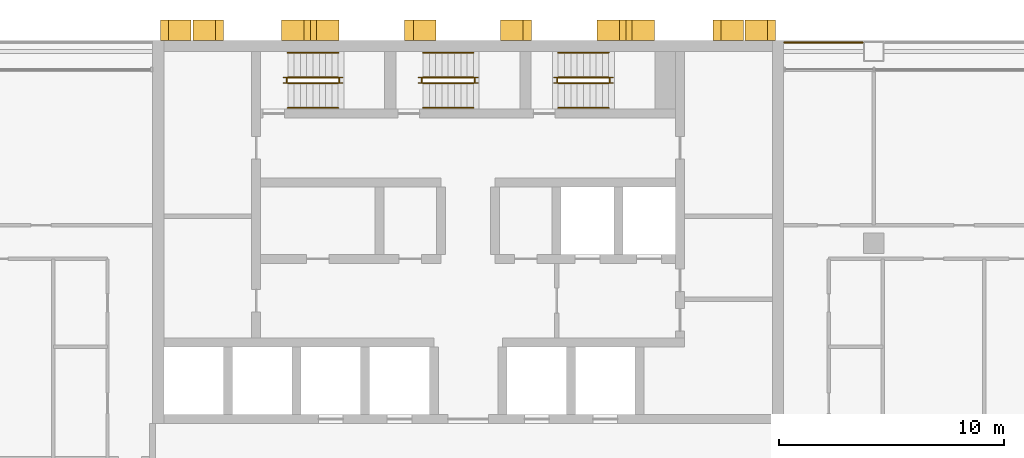
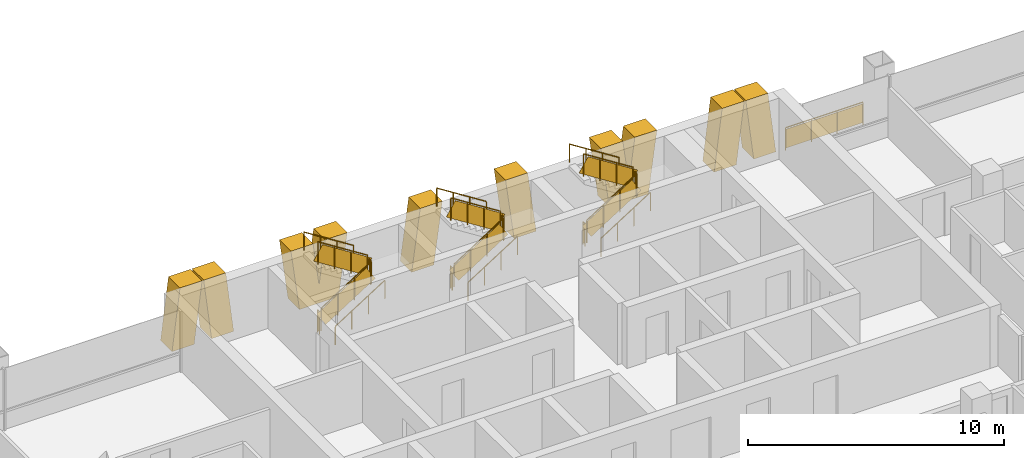
# One storey, part 17 of 18: 19 railings, 8 shading devices.
"""IFC4 building model written with IfcOpenShell, lengths in metres."""

import ifcopenshell
import ifcopenshell.guid

model = None  # the IFC model being written
_history = None  # IfcOwnerHistory: only IFC2X3 demands one
_inside = {}  # id of a spatial element -> (the spatial element, [elements in it])
_under = {}  # id of a project, library or spatial element -> (it, [spatial elements below it])
_declared = {}  # id of a project -> (the project, [libraries it declares])
_typed = {}  # id of a type object -> (the type object, [elements of that type])
_made_of = {}  # id of a material, layer set ... -> (it, [elements and type objects made of it])


def new_model(schema):
    """Start an empty IFC model of exactly this schema.

    Asked for "IFC4X3", IfcOpenShell would pick the latest addendum, in which some entities
    have other attributes; the version numbers below select the first issue.
    IFC2X3 requires an IfcOwnerHistory on every rooted entity: one is made here for all.
    """
    global model, _history
    if schema == "IFC4X3":
        model = ifcopenshell.file(schema_version=(4, 3, 0, 0))
    else:
        model = ifcopenshell.file(schema=schema)
    _inside.clear()
    _under.clear()
    _declared.clear()
    _typed.clear()
    _made_of.clear()
    _history = None
    if model.schema == "IFC2X3":
        org = make("IfcOrganization", Name="unknown")
        user = make(
            "IfcPersonAndOrganization",
            ThePerson=make("IfcPerson", FamilyName="unknown"),
            TheOrganization=org,
        )
        app = make(
            "IfcApplication",
            ApplicationDeveloper=org,
            Version="unknown",
            ApplicationFullName="unknown",
            ApplicationIdentifier="unknown",
        )
        _history = make(
            "IfcOwnerHistory",
            OwningUser=user,
            OwningApplication=app,
            ChangeAction="ADDED",
            CreationDate=0,
        )
    return model


def make(cls, **values):
    """One entity of the class cls with the attributes given. An attribute that is None is left unset."""
    return model.create_entity(
        cls, **{name: value for name, value in values.items() if value is not None}
    )


def rooted(cls, **values):
    """An entity with a GlobalId (a new one), such as an element, a storey or a relation."""
    return make(cls, GlobalId=ifcopenshell.guid.new(), OwnerHistory=_history, **values)


def si_unit(unit_type, name, prefix=None):
    """IfcSIUnit, for example si_unit("LENGTHUNIT", "METRE", prefix="MILLI")."""
    return make("IfcSIUnit", UnitType=unit_type, Prefix=prefix, Name=name)


def assignment(units):
    """IfcUnitAssignment: the units of a project."""
    return None if units is None else make("IfcUnitAssignment", Units=units)


def point(xyz):
    """IfcCartesianPoint."""
    return None if xyz is None else make("IfcCartesianPoint", Coordinates=xyz)


def direction(xyz):
    """IfcDirection."""
    return None if xyz is None else make("IfcDirection", DirectionRatios=xyz)


def frame(location, z_axis=None, x_axis=None):
    """IfcAxis2Placement3D, a coordinate frame: its origin and axes. An axis left out is left unset."""
    return make(
        "IfcAxis2Placement3D",
        Location=point(location),
        Axis=direction(z_axis),
        RefDirection=direction(x_axis),
    )


def frame_2d(location, x_axis=None):
    """IfcAxis2Placement2D, a coordinate frame in the plane: its origin and x axis."""
    return make(
        "IfcAxis2Placement2D", Location=point(location), RefDirection=direction(x_axis)
    )


def origin():
    """The frame at (0, 0, 0) with its axes left unset."""
    return frame((0.0, 0.0, 0.0))


def origin_2d():
    """The frame at (0, 0) in the plane with its x axis left unset."""
    return frame_2d((0.0, 0.0))


def place(relative_to, where):
    """IfcLocalPlacement: puts the frame where relative to a parent placement (None: the world)."""
    return make(
        "IfcLocalPlacement", PlacementRelTo=relative_to, RelativePlacement=where
    )


def context(
    kind, dimensions, precision=None, world=None, true_north=None, identifier=None
):
    """IfcGeometricRepresentationContext, for example the 3D "Model" context."""
    return make(
        "IfcGeometricRepresentationContext",
        ContextIdentifier=identifier,
        ContextType=kind,
        CoordinateSpaceDimension=dimensions,
        Precision=precision,
        WorldCoordinateSystem=world,
        TrueNorth=true_north,
    )


def subcontext(parent, identifier, kind, view, scale=None):
    """IfcGeometricRepresentationSubContext, for example "Body" below "Model"."""
    return make(
        "IfcGeometricRepresentationSubContext",
        ContextIdentifier=identifier,
        ContextType=kind,
        ParentContext=parent,
        TargetScale=scale,
        TargetView=view,
    )


def project(units=None, contexts=None):
    """IfcProject with its units and contexts."""
    return rooted(
        "IfcProject",
        Name="project",
        RepresentationContexts=contexts,
        UnitsInContext=assignment(units),
    )


def spatial(cls, under=None, at=None, **own):
    """A site, building, storey or space (cls), placed at a placement, below another one or the project."""
    s = rooted(cls, ObjectPlacement=at, **own)
    if under is not None:
        _under.setdefault(under.id(), (under, []))[1].append(s)
    return s


def polyline(points):
    """IfcPolyline through the points."""
    return make("IfcPolyline", Points=[point(p) for p in points])


def profile(cls, at=None, kind="AREA", **sizes):
    """A parametric profile (cls). Its sizes go by their IFC names, for example OverallWidth=200.0."""
    return make(cls, ProfileType=kind, Position=at, **sizes)


def rectangle(**sizes):
    """IfcRectangleProfileDef."""
    return profile("IfcRectangleProfileDef", **sizes)


def circle(**sizes):
    """IfcCircleProfileDef."""
    return profile("IfcCircleProfileDef", **sizes)


def outline(outer, holes=None, kind="AREA"):
    """IfcArbitraryClosedProfileDef: a profile drawn as a closed curve; with holes, ...WithVoids."""
    if holes is None:
        return make("IfcArbitraryClosedProfileDef", ProfileType=kind, OuterCurve=outer)
    return make(
        "IfcArbitraryProfileDefWithVoids",
        ProfileType=kind,
        OuterCurve=outer,
        InnerCurves=holes,
    )


def extrude(swept, where, along, depth):
    """IfcExtrudedAreaSolid: the profile swept, set in the frame where, extruded along a direction by depth."""
    return make(
        "IfcExtrudedAreaSolid",
        SweptArea=swept,
        Position=where,
        ExtrudedDirection=direction(along),
        Depth=depth,
    )


def shape(context_of_items, identifier, shape_type, items):
    """IfcShapeRepresentation: the items that make up one representation, for example the "Body"."""
    return make(
        "IfcShapeRepresentation",
        ContextOfItems=context_of_items,
        RepresentationIdentifier=identifier,
        RepresentationType=shape_type,
        Items=items,
    )


def material(Name=None, Category=None):
    """IfcMaterial."""
    return make("IfcMaterial", Name=Name, Category=Category)


def layer(
    of_material, thickness, ventilated=None, Name=None, Category=None, Priority=None
):
    """IfcMaterialLayer: one layer of a wall or slab, of a material (None: an air gap)."""
    return make(
        "IfcMaterialLayer",
        Material=of_material,
        LayerThickness=thickness,
        IsVentilated=ventilated,
        Name=Name,
        Category=Category,
        Priority=Priority,
    )


def layer_set(layers, Name=None):
    """IfcMaterialLayerSet."""
    return make("IfcMaterialLayerSet", MaterialLayers=layers, LayerSetName=Name)


def made_of(thing, what):
    """Note that an element or type object is made of a material, layer set ...; save() writes the relation."""
    if what is not None:
        _made_of.setdefault(what.id(), (what, []))[1].append(thing)
    return thing


def type_object(cls, material=None, **own):
    """A type object (cls), such as IfcWallType, which elements share."""
    return made_of(rooted(cls, **own), material)


def element(
    cls,
    number,
    at=None,
    inside=None,
    cuts=None,
    type_object=None,
    material=None,
    context=None,
    identifier="Body",
    shape_type=None,
    held_by="IfcProductDefinitionShape",
    body=None,
    shapes=None,
    **own,
):
    """One element of the class cls, such as IfcWall. Its Tag is "e" and its number.

    at: its placement. inside: the storey or other place that contains it. cuts: it is an
    opening in that element (IfcRelVoidsElement). A single representation is given by context,
    identifier, shape_type and body (its items); several are given by shapes. held_by: the class
    of the entity that holds the representations. save() writes the other relations.
    """
    e = rooted(cls, Tag="e%d" % number, ObjectPlacement=at, **own)
    if body is not None:
        shapes = [shape(context, identifier, shape_type, body)]
    if shapes is not None:
        e.Representation = make(held_by, Representations=shapes)
    if inside is not None:
        _inside.setdefault(inside.id(), (inside, []))[1].append(e)
    if cuts is not None:
        rooted(
            "IfcRelVoidsElement", RelatingBuildingElement=cuts, RelatedOpeningElement=e
        )
    if type_object is not None:
        _typed.setdefault(type_object.id(), (type_object, []))[1].append(e)
    return made_of(e, material)


def aggregate(whole, parts):
    """IfcRelAggregates: a whole, such as a stair, and the parts it consists of."""
    return rooted("IfcRelAggregates", RelatingObject=whole, RelatedObjects=parts)


def save(model, path):
    """Write the relations noted so far, then the file.

    IfcRelAggregates (storeys below a building ...), IfcRelContainedInSpatialStructure (elements
    in a storey), IfcRelDefinesByType, IfcRelAssociatesMaterial and IfcRelDeclares: one each for
    every whole, place, type object, material and project.
    """
    for whole, parts in _under.values():
        aggregate(whole, parts)
    for where, things in _inside.values():
        rooted(
            "IfcRelContainedInSpatialStructure",
            RelatedElements=things,
            RelatingStructure=where,
        )
    for kind, things in _typed.values():
        rooted("IfcRelDefinesByType", RelatedObjects=things, RelatingType=kind)
    for what, things in _made_of.values():
        rooted("IfcRelAssociatesMaterial", RelatedObjects=things, RelatingMaterial=what)
    for by, libraries in _declared.values():
        rooted("IfcRelDeclares", RelatingContext=by, RelatedDefinitions=libraries)
    model.write(path)


model = new_model("IFC4")

# Units and contexts
model_context = context("Model", 3, precision=1e-05, world=origin(), true_north=direction((0.0, 1.0)))
body_context = subcontext(model_context, "Body", "Model", "MODEL_VIEW")
ifc_project = project(units=[si_unit("LENGTHUNIT", "METRE"), si_unit("AREAUNIT", "SQUARE_METRE"), si_unit("VOLUMEUNIT", "CUBIC_METRE"), si_unit("PLANEANGLEUNIT", "RADIAN"), si_unit("MASSUNIT", "GRAM", prefix="KILO")], contexts=[model_context])

# Site, building, storey
site_placement = place(None, origin())
site = spatial("IfcSite", under=ifc_project, at=site_placement, CompositionType="ELEMENT")
building_placement = place(site_placement, origin())
building = spatial("IfcBuilding", under=site, at=building_placement, Name="Vidyagriha Tower", CompositionType="ELEMENT")
storey_placement = place(building_placement, frame((0.0, 0.0, 80.699951171875)))
storey = spatial("IfcBuildingStorey", under=building, at=storey_placement, Name="L20", CompositionType="ELEMENT", Elevation=80.699951171875)

# Shading devices
ifc_material_1 = material(Name="Precast concrete C40/50 with brick facing", Category="concrete")
ifc_layer_1 = layer(ifc_material_1, 1.0)
ifc_layer_set_1 = layer_set([ifc_layer_1], Name="Precast concrete C40/50 with brick facing")
shading_device_type_1 = type_object("IfcShadingDeviceType", Name="Brick-faced rear rib arm leaning 8 degrees", PredefinedType="USERDEFINED", material=ifc_layer_set_1)
shading_device_1_placement = place(storey_placement, frame((13.642822265625, 20.449951171875, 0.0), z_axis=(0.0, 0.0, 1.0), x_axis=(-1.0, 0.0, 0.0)))
element("IfcShadingDevice", 1, at=shading_device_1_placement, inside=storey, type_object=shading_device_type_1, Name="Rear rib arm L20 R08.1a", ObjectType="BLADE FIN", PredefinedType="USERDEFINED", context=body_context, shape_type="SweptSolid", body=[
    extrude(outline(polyline([(0.0, 0.0), (1.0, 0.0), (1.357177734375, 2.920166015625), (0.357177734375, 2.920166015625), (0.0, 0.0)])), frame((0.0, 0.449951171875, 0.0), z_axis=(0.0, -1.0, 0.0), x_axis=(1.0, 0.0, 0.0)), (0.0, 0.0, 1.0), 0.89990234375),
])
shading_device_2_placement = place(storey_placement, frame((12.21435546875, 20.449951171875, 0.0), z_axis=(0.0, 0.0, 1.0), x_axis=(-1.0, 0.0, 0.0)))
element("IfcShadingDevice", 2, at=shading_device_2_placement, inside=storey, type_object=shading_device_type_1, Name="Rear rib arm L20 R08.1b", ObjectType="BLADE FIN", PredefinedType="USERDEFINED", context=body_context, shape_type="SweptSolid", body=[
    extrude(outline(polyline([(0.357177734375, 0.0), (1.357177734375, 0.0), (1.0, 2.920166015625), (0.0, 2.920166015625), (0.357177734375, 0.0)])), frame((0.0, 0.449951171875, 0.0), z_axis=(0.0, -1.0, 0.0), x_axis=(1.0, 0.0, 0.0)), (0.0, 0.0, 1.0), 0.89990234375),
])
shading_device_3_placement = place(storey_placement, frame((2.814208984375, 20.449951171875, 0.0), z_axis=(0.0, 0.0, 1.0), x_axis=(-1.0, 0.0, 0.0)))
element("IfcShadingDevice", 3, at=shading_device_3_placement, inside=storey, type_object=shading_device_type_1, Name="Rear rib arm L20 R08.3a", ObjectType="BLADE FIN", PredefinedType="USERDEFINED", context=body_context, shape_type="SweptSolid", body=[
    extrude(outline(polyline([(0.0, 0.0), (1.0, 0.0), (1.3857421875, 2.920166015625), (0.3857421875, 2.920166015625), (0.0, 0.0)])), frame((0.0, 0.449951171875, 0.0), z_axis=(0.0, -1.0, 0.0), x_axis=(1.0, 0.0, 0.0)), (0.0, 0.0, 1.0), 0.89990234375),
])
shading_device_4_placement = place(storey_placement, frame((-1.4287109375, 20.449951171875, 0.0), z_axis=(0.0, 0.0, 1.0), x_axis=(-1.0, 0.0, 0.0)))
element("IfcShadingDevice", 4, at=shading_device_4_placement, inside=storey, type_object=shading_device_type_1, Name="Rear rib arm L20 R08.3b", ObjectType="BLADE FIN", PredefinedType="USERDEFINED", context=body_context, shape_type="SweptSolid", body=[
    extrude(outline(polyline([(0.3857421875, 0.0), (1.3857421875, 0.0), (1.0, 2.920166015625), (0.0, 2.920166015625), (0.3857421875, 0.0)])), frame((0.0, 0.449951171875, 0.0), z_axis=(0.0, -1.0, 0.0), x_axis=(1.0, 0.0, 0.0)), (0.0, 0.0, 1.0), 0.89990234375),
])
shading_device_5_placement = place(storey_placement, frame((-10.857177734375, 20.449951171875, 0.0), z_axis=(0.0, 0.0, 1.0), x_axis=(-1.0, 0.0, 0.0)))
element("IfcShadingDevice", 5, at=shading_device_5_placement, inside=storey, type_object=shading_device_type_1, Name="Rear rib arm L20 R08.5a", ObjectType="BLADE FIN", PredefinedType="USERDEFINED", context=body_context, shape_type="SweptSolid", body=[
    extrude(outline(polyline([(0.0, 0.0), (1.0, 0.0), (1.357177734375, 2.920166015625), (0.357177734375, 2.920166015625), (0.0, 0.0)])), frame((0.0, 0.449951171875, 0.0), z_axis=(0.0, -1.0, 0.0), x_axis=(1.0, 0.0, 0.0)), (0.0, 0.0, 1.0), 0.89990234375),
])
shading_device_6_placement = place(storey_placement, frame((-12.28564453125, 20.449951171875, 0.0), z_axis=(0.0, 0.0, 1.0), x_axis=(-1.0, 0.0, 0.0)))
element("IfcShadingDevice", 6, at=shading_device_6_placement, inside=storey, type_object=shading_device_type_1, Name="Rear rib arm L20 R08.5b", ObjectType="BLADE FIN", PredefinedType="USERDEFINED", context=body_context, shape_type="SweptSolid", body=[
    extrude(outline(polyline([(0.357177734375, 0.0), (1.357177734375, 0.0), (1.0, 2.920166015625), (0.0, 2.920166015625), (0.357177734375, 0.0)])), frame((0.0, 0.449951171875, 0.0), z_axis=(0.0, -1.0, 0.0), x_axis=(1.0, 0.0, 0.0)), (0.0, 0.0, 1.0), 0.89990234375),
])
ifc_material_2 = material(Name="Precast concrete C40/50 with brick facing", Category="concrete")
ifc_layer_2 = layer(ifc_material_2, 1.0)
ifc_layer_set_2 = layer_set([ifc_layer_2], Name="Precast concrete C40/50 with brick facing")
shading_device_type_2 = type_object("IfcShadingDeviceType", Name="Brick-faced rear rib forking 8 degrees", PredefinedType="USERDEFINED", material=ifc_layer_set_2)
for number, where, z_axis, x_axis, name in (
    (7, (8.271484375, 20.449951171875, 0.0), (0.0, 0.0, 1.0), (-1.0, 0.0, 0.0), "Rear rib fork L20 R08.2a"),
    (8, (-5.728515625, 20.449951171875, 0.0), (0.0, 0.0, 1.0), (-1.0, 0.0, 0.0), "Rear rib fork L20 R08.4a"),
):
    element("IfcShadingDevice", number, at=place(storey_placement, frame(where, z_axis=z_axis, x_axis=x_axis)), inside=storey, type_object=shading_device_type_2, Name=name, ObjectType="BLADE FIN", PredefinedType="USERDEFINED", context=body_context, shape_type="SweptSolid", body=[
        extrude(outline(polyline([(0.3857421875, 0.0), (2.156982421875, 0.0), (2.542724609375, 2.920166015625), (1.542724609375, 2.920166015625), (1.271484375, 0.865234375), (1.0, 2.920166015625), (0.0, 2.920166015625), (0.3857421875, 0.0)])), frame((0.0, 0.449951171875, 0.0), z_axis=(0.0, -1.0, 0.0), x_axis=(1.0, 0.0, 0.0)), (0.0, 0.0, 1.0), 0.89990234375),
    ])

# Railings
ifc_material_3 = material(Name="Steel ASTM A500 Grade C black painted", Category="steel")
railing_type_1 = type_object("IfcRailingType", Name="Gallery guard 1100", PredefinedType="GUARDRAIL", material=ifc_material_3)
railing_1_placement = place(storey_placement, frame((14.030029296875, 19.89990234375, 0.0)))
element("IfcRailing", 9, at=railing_1_placement, inside=storey, type_object=railing_type_1, Name="Gallery guard L20 9", PredefinedType="GUARDRAIL", context=body_context, shape_type="SweptSolid", body=[
    extrude(circle(Radius=0.02490234375, at=origin_2d()), frame((0.0, 0.0, 1.0751953125), z_axis=(1.0, 0.0, 0.0), x_axis=(0.0, 1.0, 0.0)), (0.0, 0.0, 1.0), 3.489990234375),
    extrude(circle(Radius=0.02001953125, at=origin_2d()), origin(), (0.0, 0.0, 1.0), 1.050048828125),
    extrude(circle(Radius=0.02001953125, at=origin_2d()), frame((1.163330078125, 0.0, 0.0)), (0.0, 0.0, 1.0), 1.050048828125),
    extrude(circle(Radius=0.02001953125, at=origin_2d()), frame((2.32666015625, 0.0, 0.0)), (0.0, 0.0, 1.0), 1.050048828125),
    extrude(circle(Radius=0.02001953125, at=origin_2d()), frame((3.489990234375, 0.0, 0.0)), (0.0, 0.0, 1.0), 1.050048828125),
    extrude(rectangle(XDim=0.010009765625, YDim=0.900146484375, at=origin_2d()), frame((0.0, 0.0, 0.550048828125), z_axis=(1.0, 0.0, 0.0), x_axis=(0.0, 1.0, 0.0)), (0.0, 0.0, 1.0), 3.489990234375),
])
ifc_material_4 = material(Name="Steel ASTM A500 Grade C", Category="steel")
railing_type_2 = type_object("IfcRailingType", Name="Stair guard 1100 mm, steel balustrade", PredefinedType="GUARDRAIL", material=ifc_material_4)
railing_2_placement = place(storey_placement, frame((-8.0, 18.10009765625, 0.177734375)))
element("IfcRailing", 10, at=railing_2_placement, inside=storey, type_object=railing_type_2, Name="L20 ST1 stair guard 1", PredefinedType="GUARDRAIL", context=body_context, shape_type="SweptSolid", body=[
    extrude(circle(Radius=0.02392578125, at=origin_2d()), frame((0.0, 0.0, 1.076171875), z_axis=(0.84418770128, 0.0, 0.536047689118), x_axis=(0.0, 1.0, 0.0)), (0.0, 0.0, 1.0), 2.6533203125),
    extrude(circle(Radius=0.02099609375, at=origin_2d()), origin(), (0.0, 0.0, 1.0), 1.052001953125),
    extrude(circle(Radius=0.02099609375, at=origin_2d()), frame((0.74658203125, 0.0, 0.47412109375)), (0.0, 0.0, 1.0), 1.052001953125),
    extrude(circle(Radius=0.02099609375, at=origin_2d()), frame((1.493408203125, 0.0, 0.9482421875)), (0.0, 0.0, 1.0), 1.052001953125),
    extrude(circle(Radius=0.02099609375, at=origin_2d()), frame((2.239990234375, 0.0, 1.42236328125)), (0.0, 0.0, 1.0), 1.052001953125),
    extrude(rectangle(XDim=0.010009765625, YDim=0.761474609375, at=origin_2d()), frame((0.0, 0.0, 0.551025390625), z_axis=(0.84418770128, 0.0, 0.536047689118), x_axis=(0.0, 1.0, 0.0)), (0.0, 0.0, 1.0), 2.6533203125),
])
railing_3_placement = place(storey_placement, frame((-5.7099609375, 18.14990234375, 1.60009765625)))
element("IfcRailing", 11, at=railing_3_placement, inside=storey, type_object=railing_type_2, Name="L20 ST1 stair guard 2", PredefinedType="GUARDRAIL", context=body_context, shape_type="SweptSolid", body=[
    extrude(circle(Radius=0.02392578125, at=origin_2d()), frame((0.0, 0.0, 1.076171875), z_axis=(0.0, 1.0, 0.0), x_axis=(-1.0, 0.0, 0.0)), (0.0, 0.0, 1.0), 0.150146484375),
    extrude(circle(Radius=0.02099609375, at=origin_2d()), origin(), (0.0, 0.0, 1.0), 1.052001953125),
    extrude(circle(Radius=0.02099609375, at=origin_2d()), frame((0.0, 0.150146484375, 0.0)), (0.0, 0.0, 1.0), 1.052001953125),
    extrude(rectangle(XDim=0.010009765625, YDim=0.902099609375, at=origin_2d()), frame((0.0, 0.0, 0.551025390625), z_axis=(0.0, 1.0, 0.0), x_axis=(-1.0, 0.0, 0.0)), (0.0, 0.0, 1.0), 0.150146484375),
])
railing_4_placement = place(storey_placement, frame((-5.760009765625, 18.35009765625, 1.77783203125)))
element("IfcRailing", 12, at=railing_4_placement, inside=storey, type_object=railing_type_2, Name="L20 ST1 stair guard 3", PredefinedType="GUARDRAIL", context=body_context, shape_type="SweptSolid", body=[
    extrude(circle(Radius=0.02392578125, at=origin_2d()), frame((0.0, 0.0, 1.076171875), z_axis=(-0.8442293374, 0.0, 0.53598211339), x_axis=(0.0, -1.0, 0.0)), (0.0, 0.0, 1.0), 2.6533203125),
    extrude(circle(Radius=0.02099609375, at=origin_2d()), origin(), (0.0, 0.0, 1.0), 1.052001953125),
    extrude(circle(Radius=0.02099609375, at=origin_2d()), frame((-0.74658203125, 0.0, 0.47412109375)), (0.0, 0.0, 1.0), 1.052001953125),
    extrude(circle(Radius=0.02099609375, at=origin_2d()), frame((-1.493408203125, 0.0, 0.947998046875)), (0.0, 0.0, 1.0), 1.052001953125),
    extrude(circle(Radius=0.02099609375, at=origin_2d()), frame((-2.239990234375, 0.0, 1.422119140625)), (0.0, 0.0, 1.0), 1.052001953125),
    extrude(rectangle(XDim=0.010009765625, YDim=0.761474609375, at=origin_2d()), frame((0.0, 0.0, 0.551025390625), z_axis=(-0.8442293374, 0.0, 0.53598211339), x_axis=(0.0, -1.0, 0.0)), (0.0, 0.0, 1.0), 2.6533203125),
])
railing_5_placement = place(storey_placement, frame((-8.050048828125, 18.14990234375, 0.0)))
element("IfcRailing", 13, at=railing_5_placement, inside=storey, type_object=railing_type_2, Name="L20 ST1 stair guard 4", PredefinedType="GUARDRAIL", context=body_context, shape_type="SweptSolid", body=[
    extrude(circle(Radius=0.02392578125, at=origin_2d()), frame((0.0, 0.0, 1.076171875), z_axis=(0.0, 1.0, 0.0), x_axis=(-1.0, 0.0, 0.0)), (0.0, 0.0, 1.0), 0.150146484375),
    extrude(circle(Radius=0.02099609375, at=origin_2d()), origin(), (0.0, 0.0, 1.0), 1.052001953125),
    extrude(circle(Radius=0.02099609375, at=origin_2d()), frame((0.0, 0.150146484375, 0.0)), (0.0, 0.0, 1.0), 1.052001953125),
    extrude(rectangle(XDim=0.010009765625, YDim=0.902099609375, at=origin_2d()), frame((0.0, 0.0, 0.551025390625), z_axis=(0.0, 1.0, 0.0), x_axis=(-1.0, 0.0, 0.0)), (0.0, 0.0, 1.0), 0.150146484375),
])
railing_6_placement = place(storey_placement, frame((-2.0, 18.10009765625, 0.177734375)))
element("IfcRailing", 14, at=railing_6_placement, inside=storey, type_object=railing_type_2, Name="L20 ST2 stair guard 1", PredefinedType="GUARDRAIL", context=body_context, shape_type="SweptSolid", body=[
    extrude(circle(Radius=0.02392578125, at=origin_2d()), frame((0.0, 0.0, 1.076171875), z_axis=(0.84418770128, 0.0, 0.536047689118), x_axis=(0.0, 1.0, 0.0)), (0.0, 0.0, 1.0), 2.6533203125),
    extrude(circle(Radius=0.02099609375, at=origin_2d()), origin(), (0.0, 0.0, 1.0), 1.052001953125),
    extrude(circle(Radius=0.02099609375, at=origin_2d()), frame((0.74658203125, 0.0, 0.47412109375)), (0.0, 0.0, 1.0), 1.052001953125),
    extrude(circle(Radius=0.02099609375, at=origin_2d()), frame((1.493408203125, 0.0, 0.9482421875)), (0.0, 0.0, 1.0), 1.052001953125),
    extrude(circle(Radius=0.02099609375, at=origin_2d()), frame((2.239990234375, 0.0, 1.42236328125)), (0.0, 0.0, 1.0), 1.052001953125),
    extrude(rectangle(XDim=0.010009765625, YDim=0.761474609375, at=origin_2d()), frame((0.0, 0.0, 0.551025390625), z_axis=(0.84418770128, 0.0, 0.536047689118), x_axis=(0.0, 1.0, 0.0)), (0.0, 0.0, 1.0), 2.6533203125),
])
railing_7_placement = place(storey_placement, frame((0.2900390625, 18.14990234375, 1.60009765625)))
element("IfcRailing", 15, at=railing_7_placement, inside=storey, type_object=railing_type_2, Name="L20 ST2 stair guard 2", PredefinedType="GUARDRAIL", context=body_context, shape_type="SweptSolid", body=[
    extrude(circle(Radius=0.02392578125, at=origin_2d()), frame((0.0, 0.0, 1.076171875), z_axis=(0.0, 1.0, 0.0), x_axis=(-1.0, 0.0, 0.0)), (0.0, 0.0, 1.0), 0.150146484375),
    extrude(circle(Radius=0.02099609375, at=origin_2d()), origin(), (0.0, 0.0, 1.0), 1.052001953125),
    extrude(circle(Radius=0.02099609375, at=origin_2d()), frame((0.0, 0.150146484375, 0.0)), (0.0, 0.0, 1.0), 1.052001953125),
    extrude(rectangle(XDim=0.010009765625, YDim=0.902099609375, at=origin_2d()), frame((0.0, 0.0, 0.551025390625), z_axis=(0.0, 1.0, 0.0), x_axis=(-1.0, 0.0, 0.0)), (0.0, 0.0, 1.0), 0.150146484375),
])
railing_8_placement = place(storey_placement, frame((0.239990234375, 18.35009765625, 1.77783203125)))
element("IfcRailing", 16, at=railing_8_placement, inside=storey, type_object=railing_type_2, Name="L20 ST2 stair guard 3", PredefinedType="GUARDRAIL", context=body_context, shape_type="SweptSolid", body=[
    extrude(circle(Radius=0.02392578125, at=origin_2d()), frame((0.0, 0.0, 1.076171875), z_axis=(-0.8442293374, 0.0, 0.53598211339), x_axis=(0.0, -1.0, 0.0)), (0.0, 0.0, 1.0), 2.6533203125),
    extrude(circle(Radius=0.02099609375, at=origin_2d()), origin(), (0.0, 0.0, 1.0), 1.052001953125),
    extrude(circle(Radius=0.02099609375, at=origin_2d()), frame((-0.74658203125, 0.0, 0.47412109375)), (0.0, 0.0, 1.0), 1.052001953125),
    extrude(circle(Radius=0.02099609375, at=origin_2d()), frame((-1.493408203125, 0.0, 0.947998046875)), (0.0, 0.0, 1.0), 1.052001953125),
    extrude(circle(Radius=0.02099609375, at=origin_2d()), frame((-2.239990234375, 0.0, 1.422119140625)), (0.0, 0.0, 1.0), 1.052001953125),
    extrude(rectangle(XDim=0.010009765625, YDim=0.761474609375, at=origin_2d()), frame((0.0, 0.0, 0.551025390625), z_axis=(-0.8442293374, 0.0, 0.53598211339), x_axis=(0.0, -1.0, 0.0)), (0.0, 0.0, 1.0), 2.6533203125),
])
railing_9_placement = place(storey_placement, frame((-2.050048828125, 18.14990234375, 0.0)))
element("IfcRailing", 17, at=railing_9_placement, inside=storey, type_object=railing_type_2, Name="L20 ST2 stair guard 4", PredefinedType="GUARDRAIL", context=body_context, shape_type="SweptSolid", body=[
    extrude(circle(Radius=0.02392578125, at=origin_2d()), frame((0.0, 0.0, 1.076171875), z_axis=(0.0, 1.0, 0.0), x_axis=(-1.0, 0.0, 0.0)), (0.0, 0.0, 1.0), 0.150146484375),
    extrude(circle(Radius=0.02099609375, at=origin_2d()), origin(), (0.0, 0.0, 1.0), 1.052001953125),
    extrude(circle(Radius=0.02099609375, at=origin_2d()), frame((0.0, 0.150146484375, 0.0)), (0.0, 0.0, 1.0), 1.052001953125),
    extrude(rectangle(XDim=0.010009765625, YDim=0.902099609375, at=origin_2d()), frame((0.0, 0.0, 0.551025390625), z_axis=(0.0, 1.0, 0.0), x_axis=(-1.0, 0.0, 0.0)), (0.0, 0.0, 1.0), 0.150146484375),
])
railing_10_placement = place(storey_placement, frame((4.0, 18.10009765625, 0.177734375)))
element("IfcRailing", 18, at=railing_10_placement, inside=storey, type_object=railing_type_2, Name="L20 ST3 stair guard 1", PredefinedType="GUARDRAIL", context=body_context, shape_type="SweptSolid", body=[
    extrude(circle(Radius=0.02392578125, at=origin_2d()), frame((0.0, 0.0, 1.076171875), z_axis=(0.84418770128, 0.0, 0.536047689118), x_axis=(0.0, 1.0, 0.0)), (0.0, 0.0, 1.0), 2.6533203125),
    extrude(circle(Radius=0.02099609375, at=origin_2d()), origin(), (0.0, 0.0, 1.0), 1.052001953125),
    extrude(circle(Radius=0.02099609375, at=origin_2d()), frame((0.74658203125, 0.0, 0.47412109375)), (0.0, 0.0, 1.0), 1.052001953125),
    extrude(circle(Radius=0.02099609375, at=origin_2d()), frame((1.493408203125, 0.0, 0.9482421875)), (0.0, 0.0, 1.0), 1.052001953125),
    extrude(circle(Radius=0.02099609375, at=origin_2d()), frame((2.239990234375, 0.0, 1.42236328125)), (0.0, 0.0, 1.0), 1.052001953125),
    extrude(rectangle(XDim=0.010009765625, YDim=0.761474609375, at=origin_2d()), frame((0.0, 0.0, 0.551025390625), z_axis=(0.84418770128, 0.0, 0.536047689118), x_axis=(0.0, 1.0, 0.0)), (0.0, 0.0, 1.0), 2.6533203125),
])
railing_11_placement = place(storey_placement, frame((6.2900390625, 18.14990234375, 1.60009765625)))
element("IfcRailing", 19, at=railing_11_placement, inside=storey, type_object=railing_type_2, Name="L20 ST3 stair guard 2", PredefinedType="GUARDRAIL", context=body_context, shape_type="SweptSolid", body=[
    extrude(circle(Radius=0.02392578125, at=origin_2d()), frame((0.0, 0.0, 1.076171875), z_axis=(0.0, 1.0, 0.0), x_axis=(-1.0, 0.0, 0.0)), (0.0, 0.0, 1.0), 0.150146484375),
    extrude(circle(Radius=0.02099609375, at=origin_2d()), origin(), (0.0, 0.0, 1.0), 1.052001953125),
    extrude(circle(Radius=0.02099609375, at=origin_2d()), frame((0.0, 0.150146484375, 0.0)), (0.0, 0.0, 1.0), 1.052001953125),
    extrude(rectangle(XDim=0.010009765625, YDim=0.902099609375, at=origin_2d()), frame((0.0, 0.0, 0.551025390625), z_axis=(0.0, 1.0, 0.0), x_axis=(-1.0, 0.0, 0.0)), (0.0, 0.0, 1.0), 0.150146484375),
])
railing_12_placement = place(storey_placement, frame((6.239990234375, 18.35009765625, 1.77783203125)))
element("IfcRailing", 20, at=railing_12_placement, inside=storey, type_object=railing_type_2, Name="L20 ST3 stair guard 3", PredefinedType="GUARDRAIL", context=body_context, shape_type="SweptSolid", body=[
    extrude(circle(Radius=0.02392578125, at=origin_2d()), frame((0.0, 0.0, 1.076171875), z_axis=(-0.8442293374, 0.0, 0.53598211339), x_axis=(0.0, -1.0, 0.0)), (0.0, 0.0, 1.0), 2.6533203125),
    extrude(circle(Radius=0.02099609375, at=origin_2d()), origin(), (0.0, 0.0, 1.0), 1.052001953125),
    extrude(circle(Radius=0.02099609375, at=origin_2d()), frame((-0.74658203125, 0.0, 0.47412109375)), (0.0, 0.0, 1.0), 1.052001953125),
    extrude(circle(Radius=0.02099609375, at=origin_2d()), frame((-1.493408203125, 0.0, 0.947998046875)), (0.0, 0.0, 1.0), 1.052001953125),
    extrude(circle(Radius=0.02099609375, at=origin_2d()), frame((-2.239990234375, 0.0, 1.422119140625)), (0.0, 0.0, 1.0), 1.052001953125),
    extrude(rectangle(XDim=0.010009765625, YDim=0.761474609375, at=origin_2d()), frame((0.0, 0.0, 0.551025390625), z_axis=(-0.8442293374, 0.0, 0.53598211339), x_axis=(0.0, -1.0, 0.0)), (0.0, 0.0, 1.0), 2.6533203125),
])
railing_13_placement = place(storey_placement, frame((3.949951171875, 18.14990234375, 0.0)))
element("IfcRailing", 21, at=railing_13_placement, inside=storey, type_object=railing_type_2, Name="L20 ST3 stair guard 4", PredefinedType="GUARDRAIL", context=body_context, shape_type="SweptSolid", body=[
    extrude(circle(Radius=0.02392578125, at=origin_2d()), frame((0.0, 0.0, 1.076171875), z_axis=(0.0, 1.0, 0.0), x_axis=(-1.0, 0.0, 0.0)), (0.0, 0.0, 1.0), 0.150146484375),
    extrude(circle(Radius=0.02099609375, at=origin_2d()), origin(), (0.0, 0.0, 1.0), 1.052001953125),
    extrude(circle(Radius=0.02099609375, at=origin_2d()), frame((0.0, 0.150146484375, 0.0)), (0.0, 0.0, 1.0), 1.052001953125),
    extrude(rectangle(XDim=0.010009765625, YDim=0.902099609375, at=origin_2d()), frame((0.0, 0.0, 0.551025390625), z_axis=(0.0, 1.0, 0.0), x_axis=(-1.0, 0.0, 0.0)), (0.0, 0.0, 1.0), 0.150146484375),
])
ifc_material_5 = material(Name="Steel ASTM A500 Grade C", Category="steel")
railing_type_3 = type_object("IfcRailingType", Name="Stair handrail 900 mm, steel", PredefinedType="HANDRAIL", material=ifc_material_5)
railing_14_placement = place(storey_placement, frame((-8.0, 17.0, 0.177734375)))
element("IfcRailing", 22, at=railing_14_placement, inside=storey, type_object=railing_type_3, Name="L20 ST1 stair handrail 1", PredefinedType="HANDRAIL", context=body_context, shape_type="SweptSolid", body=[
    extrude(circle(Radius=0.02392578125, at=origin_2d()), frame((0.0, 0.0, 0.8759765625), z_axis=(0.84418770128, 0.0, 0.536047689118), x_axis=(0.0, 1.0, 0.0)), (0.0, 0.0, 1.0), 2.6533203125),
    extrude(circle(Radius=0.02099609375, at=origin_2d()), origin(), (0.0, 0.0, 1.0), 0.851806640625),
    extrude(circle(Radius=0.02099609375, at=origin_2d()), frame((0.74658203125, 0.0, 0.47412109375)), (0.0, 0.0, 1.0), 0.851806640625),
    extrude(circle(Radius=0.02099609375, at=origin_2d()), frame((1.493408203125, 0.0, 0.9482421875)), (0.0, 0.0, 1.0), 0.851806640625),
    extrude(circle(Radius=0.02099609375, at=origin_2d()), frame((2.239990234375, 0.0, 1.42236328125)), (0.0, 0.0, 1.0), 0.851806640625),
])
railing_15_placement = place(storey_placement, frame((-5.760009765625, 19.449951171875, 1.77783203125)))
element("IfcRailing", 23, at=railing_15_placement, inside=storey, type_object=railing_type_3, Name="L20 ST1 stair handrail 2", PredefinedType="HANDRAIL", context=body_context, shape_type="SweptSolid", body=[
    extrude(circle(Radius=0.02392578125, at=origin_2d()), frame((0.0, 0.0, 0.8759765625), z_axis=(-0.8442293374, 0.0, 0.53598211339), x_axis=(0.0, -1.0, 0.0)), (0.0, 0.0, 1.0), 2.6533203125),
    extrude(circle(Radius=0.02099609375, at=origin_2d()), origin(), (0.0, 0.0, 1.0), 0.851806640625),
    extrude(circle(Radius=0.02099609375, at=origin_2d()), frame((-0.74658203125, 0.0, 0.47412109375)), (0.0, 0.0, 1.0), 0.851806640625),
    extrude(circle(Radius=0.02099609375, at=origin_2d()), frame((-1.493408203125, 0.0, 0.947998046875)), (0.0, 0.0, 1.0), 0.851806640625),
    extrude(circle(Radius=0.02099609375, at=origin_2d()), frame((-2.239990234375, 0.0, 1.422119140625)), (0.0, 0.0, 1.0), 0.851806640625),
])
railing_16_placement = place(storey_placement, frame((-2.0, 17.0, 0.177734375)))
element("IfcRailing", 24, at=railing_16_placement, inside=storey, type_object=railing_type_3, Name="L20 ST2 stair handrail 1", PredefinedType="HANDRAIL", context=body_context, shape_type="SweptSolid", body=[
    extrude(circle(Radius=0.02392578125, at=origin_2d()), frame((0.0, 0.0, 0.8759765625), z_axis=(0.84418770128, 0.0, 0.536047689118), x_axis=(0.0, 1.0, 0.0)), (0.0, 0.0, 1.0), 2.6533203125),
    extrude(circle(Radius=0.02099609375, at=origin_2d()), origin(), (0.0, 0.0, 1.0), 0.851806640625),
    extrude(circle(Radius=0.02099609375, at=origin_2d()), frame((0.74658203125, 0.0, 0.47412109375)), (0.0, 0.0, 1.0), 0.851806640625),
    extrude(circle(Radius=0.02099609375, at=origin_2d()), frame((1.493408203125, 0.0, 0.9482421875)), (0.0, 0.0, 1.0), 0.851806640625),
    extrude(circle(Radius=0.02099609375, at=origin_2d()), frame((2.239990234375, 0.0, 1.42236328125)), (0.0, 0.0, 1.0), 0.851806640625),
])
railing_17_placement = place(storey_placement, frame((0.239990234375, 19.449951171875, 1.77783203125)))
element("IfcRailing", 25, at=railing_17_placement, inside=storey, type_object=railing_type_3, Name="L20 ST2 stair handrail 2", PredefinedType="HANDRAIL", context=body_context, shape_type="SweptSolid", body=[
    extrude(circle(Radius=0.02392578125, at=origin_2d()), frame((0.0, 0.0, 0.8759765625), z_axis=(-0.8442293374, 0.0, 0.53598211339), x_axis=(0.0, -1.0, 0.0)), (0.0, 0.0, 1.0), 2.6533203125),
    extrude(circle(Radius=0.02099609375, at=origin_2d()), origin(), (0.0, 0.0, 1.0), 0.851806640625),
    extrude(circle(Radius=0.02099609375, at=origin_2d()), frame((-0.74658203125, 0.0, 0.47412109375)), (0.0, 0.0, 1.0), 0.851806640625),
    extrude(circle(Radius=0.02099609375, at=origin_2d()), frame((-1.493408203125, 0.0, 0.947998046875)), (0.0, 0.0, 1.0), 0.851806640625),
    extrude(circle(Radius=0.02099609375, at=origin_2d()), frame((-2.239990234375, 0.0, 1.422119140625)), (0.0, 0.0, 1.0), 0.851806640625),
])
railing_18_placement = place(storey_placement, frame((4.0, 17.0, 0.177734375)))
element("IfcRailing", 26, at=railing_18_placement, inside=storey, type_object=railing_type_3, Name="L20 ST3 stair handrail 1", PredefinedType="HANDRAIL", context=body_context, shape_type="SweptSolid", body=[
    extrude(circle(Radius=0.02392578125, at=origin_2d()), frame((0.0, 0.0, 0.8759765625), z_axis=(0.84418770128, 0.0, 0.536047689118), x_axis=(0.0, 1.0, 0.0)), (0.0, 0.0, 1.0), 2.6533203125),
    extrude(circle(Radius=0.02099609375, at=origin_2d()), origin(), (0.0, 0.0, 1.0), 0.851806640625),
    extrude(circle(Radius=0.02099609375, at=origin_2d()), frame((0.74658203125, 0.0, 0.47412109375)), (0.0, 0.0, 1.0), 0.851806640625),
    extrude(circle(Radius=0.02099609375, at=origin_2d()), frame((1.493408203125, 0.0, 0.9482421875)), (0.0, 0.0, 1.0), 0.851806640625),
    extrude(circle(Radius=0.02099609375, at=origin_2d()), frame((2.239990234375, 0.0, 1.42236328125)), (0.0, 0.0, 1.0), 0.851806640625),
])
railing_19_placement = place(storey_placement, frame((6.239990234375, 19.449951171875, 1.77783203125)))
element("IfcRailing", 27, at=railing_19_placement, inside=storey, type_object=railing_type_3, Name="L20 ST3 stair handrail 2", PredefinedType="HANDRAIL", context=body_context, shape_type="SweptSolid", body=[
    extrude(circle(Radius=0.02392578125, at=origin_2d()), frame((0.0, 0.0, 0.8759765625), z_axis=(-0.8442293374, 0.0, 0.53598211339), x_axis=(0.0, -1.0, 0.0)), (0.0, 0.0, 1.0), 2.6533203125),
    extrude(circle(Radius=0.02099609375, at=origin_2d()), origin(), (0.0, 0.0, 1.0), 0.851806640625),
    extrude(circle(Radius=0.02099609375, at=origin_2d()), frame((-0.74658203125, 0.0, 0.47412109375)), (0.0, 0.0, 1.0), 0.851806640625),
    extrude(circle(Radius=0.02099609375, at=origin_2d()), frame((-1.493408203125, 0.0, 0.947998046875)), (0.0, 0.0, 1.0), 0.851806640625),
    extrude(circle(Radius=0.02099609375, at=origin_2d()), frame((-2.239990234375, 0.0, 1.422119140625)), (0.0, 0.0, 1.0), 0.851806640625),
])

save(model, "model.ifc")
